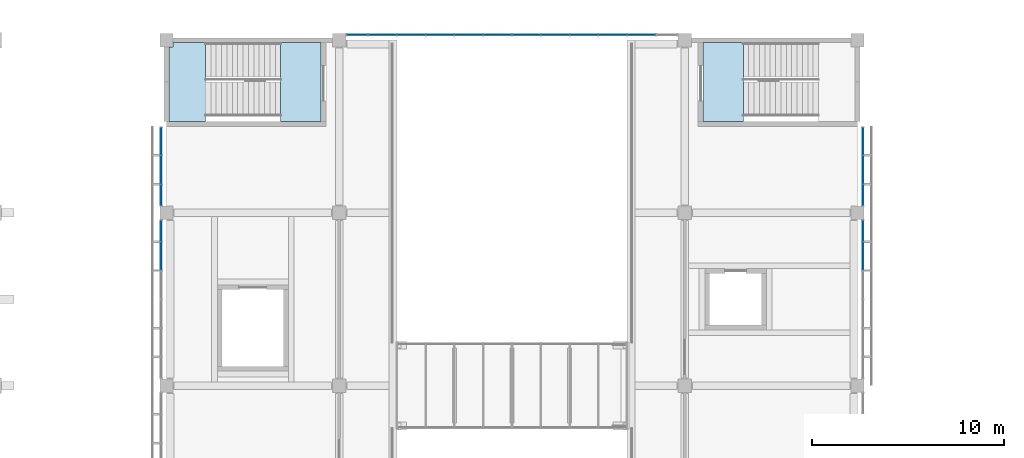
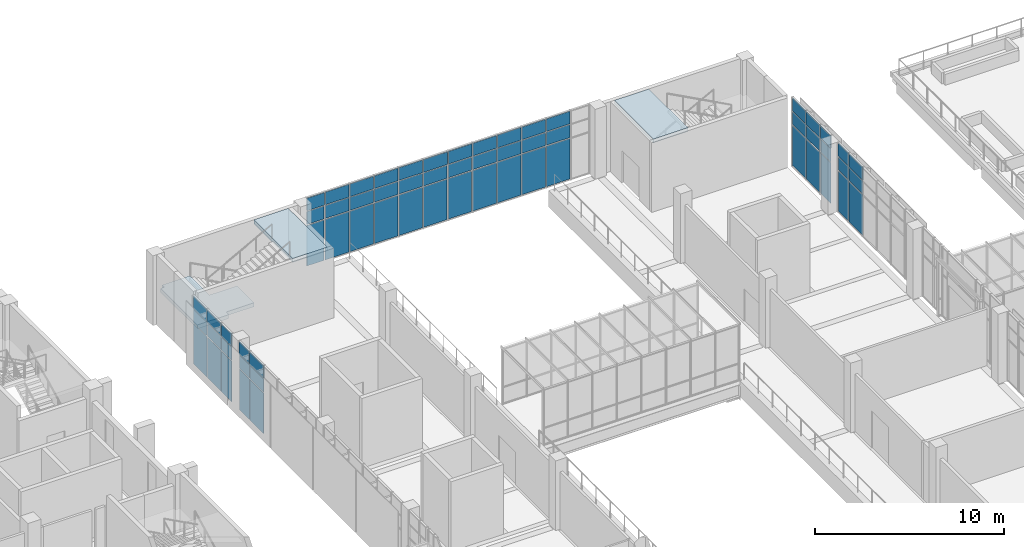
# One storey, part 60 of 106: 63 plates, 3 slabs, 7 elements without a shape of their own.
"""IFC4 building model written with IfcOpenShell, lengths in metres."""

from ifc_helpers import new_model, si_unit, direction, frame, origin, origin_2d, place, context, subcontext, project, spatial, polyline, rectangle, outline, extrude, material, layer, layer_set, type_object, element, aggregate, save


model = new_model("IFC4")

# Units and contexts
model_context = context("Model", 3, precision=1e-05, world=origin(), true_north=direction((0.0, 1.0)))
body_context = subcontext(model_context, "Body", "Model", "MODEL_VIEW")
ifc_project = project(units=[si_unit("LENGTHUNIT", "METRE"), si_unit("AREAUNIT", "SQUARE_METRE"), si_unit("VOLUMEUNIT", "CUBIC_METRE"), si_unit("PLANEANGLEUNIT", "RADIAN"), si_unit("MASSUNIT", "GRAM", prefix="KILO")], contexts=[model_context])

# Site, building, storey
site_placement = place(None, origin())
site = spatial("IfcSite", under=ifc_project, at=site_placement, CompositionType="ELEMENT")
building_placement = place(site_placement, origin())
building = spatial("IfcBuilding", under=site, at=building_placement, Name="Guidao Yard Department Store", CompositionType="ELEMENT")
storey_placement = place(building_placement, frame((0.0, 0.0, 10.5)))
storey = spatial("IfcBuildingStorey", under=building, at=storey_placement, Name="L02", CompositionType="ELEMENT", Elevation=10.5)

# Curtain wall, plates
ifc_material_1 = material(Name="Aluminium and glass", Category="aluminium")
ifc_layer_1 = layer(ifc_material_1, 0.159912109375)
ifc_layer_set_1 = layer_set([ifc_layer_1], Name="Shopfront curtain wall CW1 1500 module")
curtain_wall_type = type_object("IfcCurtainWallType", Name="Shopfront curtain wall CW1 1500 module", PredefinedType="NOTDEFINED", material=ifc_layer_set_1)
curtain_wall_1_placement = place(storey_placement, origin())
curtain_wall_1 = element("IfcCurtainWall", 1, at=curtain_wall_1_placement, inside=storey, type_object=curtain_wall_type, Name="Arcade shop front", PredefinedType="NOTDEFINED")
ifc_material_2 = material(Name="Aluminium 6063-T5 faced insulated spandrel", Category="aluminium")
ifc_layer_2 = layer(ifc_material_2, 0.06005859375)
ifc_layer_set_2 = layer_set([ifc_layer_2], Name="Spandrel panel SP1 insulated opaque")
plate_type_1 = type_object("IfcPlateType", Name="Spandrel panel SP1 insulated opaque", PredefinedType="CURTAIN_PANEL", material=ifc_layer_set_2)
plate_1_placement = place(storey_placement, frame((71.719970703125, 96.75, 3.6298828125), z_axis=(0.0, 0.0, 1.0), x_axis=(0.0, 1.0, 0.0)))
plate_1 = element("IfcPlate", 2, at=plate_1_placement, type_object=plate_type_1, Name="CW-AS-L02-12 panel 5.3", PredefinedType="CURTAIN_PANEL", context=body_context, shape_type="SweptSolid", body=[
    extrude(rectangle(XDim=1.43994140625, YDim=0.06005859375, at=origin_2d()), origin(), (0.0, 0.0, 1.0), 0.81005859375),
])
plate_2_placement = place(storey_placement, frame((71.719970703125, 98.06005859375, 3.6298828125), z_axis=(0.0, 0.0, 1.0), x_axis=(0.0, 1.0, 0.0)))
plate_2 = element("IfcPlate", 3, at=plate_2_placement, type_object=plate_type_1, Name="CW-AS-L02-12 panel 6.3", PredefinedType="CURTAIN_PANEL", context=body_context, shape_type="SweptSolid", body=[
    extrude(rectangle(XDim=1.06005859375, YDim=0.06005859375, at=origin_2d()), origin(), (0.0, 0.0, 1.0), 0.81005859375),
])

curtain_wall_2_placement = place(storey_placement, origin())
curtain_wall_2 = element("IfcCurtainWall", 4, at=curtain_wall_2_placement, inside=storey, type_object=curtain_wall_type, Name="Arcade shop front", PredefinedType="NOTDEFINED")
plate_3_placement = place(storey_placement, frame((71.719970703125, 99.93994140625, 3.6298828125), z_axis=(0.0, 0.0, 1.0), x_axis=(0.0, 1.0, 0.0)))
plate_3 = element("IfcPlate", 5, at=plate_3_placement, type_object=plate_type_1, Name="CW-AS-L02-13 panel 1.3", PredefinedType="CURTAIN_PANEL", context=body_context, shape_type="SweptSolid", body=[
    extrude(rectangle(XDim=1.06005859375, YDim=0.06005859375, at=origin_2d()), origin(), (0.0, 0.0, 1.0), 0.81005859375),
])
plate_4_placement = place(storey_placement, frame((71.719970703125, 101.25, 3.6298828125), z_axis=(0.0, 0.0, 1.0), x_axis=(0.0, 1.0, 0.0)))
plate_4 = element("IfcPlate", 6, at=plate_4_placement, type_object=plate_type_1, Name="CW-AS-L02-13 panel 2.3", PredefinedType="CURTAIN_PANEL", context=body_context, shape_type="SweptSolid", body=[
    extrude(rectangle(XDim=1.43994140625, YDim=0.06005859375, at=origin_2d()), origin(), (0.0, 0.0, 1.0), 0.81005859375),
])
plate_5_placement = place(storey_placement, frame((71.719970703125, 102.735107421875, 3.6298828125), z_axis=(0.0, 0.0, 1.0), x_axis=(0.0, 1.0, 0.0)))
plate_5 = element("IfcPlate", 7, at=plate_5_placement, type_object=plate_type_1, Name="CW-AS-L02-13 panel 3.3", PredefinedType="CURTAIN_PANEL", context=body_context, shape_type="SweptSolid", body=[
    extrude(rectangle(XDim=1.409912109375, YDim=0.06005859375, at=origin_2d()), origin(), (0.0, 0.0, 1.0), 0.81005859375),
])

curtain_wall_3_placement = place(storey_placement, origin())
curtain_wall_3 = element("IfcCurtainWall", 8, at=curtain_wall_3_placement, inside=storey, type_object=curtain_wall_type, Name="Arcade shop front", PredefinedType="NOTDEFINED")
plate_6_placement = place(storey_placement, frame((108.280029296875, 96.75, 3.6298828125), z_axis=(0.0, 0.0, 1.0), x_axis=(0.0, -1.0, 0.0)))
plate_6 = element("IfcPlate", 9, at=plate_6_placement, type_object=plate_type_1, Name="CW-AS-L02-21 panel 5.3", PredefinedType="CURTAIN_PANEL", context=body_context, shape_type="SweptSolid", body=[
    extrude(rectangle(XDim=1.43994140625, YDim=0.06005859375, at=origin_2d()), origin(), (0.0, 0.0, 1.0), 0.81005859375),
])
plate_7_placement = place(storey_placement, frame((108.280029296875, 98.06005859375, 3.6298828125), z_axis=(0.0, 0.0, 1.0), x_axis=(0.0, -1.0, 0.0)))
plate_7 = element("IfcPlate", 10, at=plate_7_placement, type_object=plate_type_1, Name="CW-AS-L02-21 panel 6.3", PredefinedType="CURTAIN_PANEL", context=body_context, shape_type="SweptSolid", body=[
    extrude(rectangle(XDim=1.06005859375, YDim=0.06005859375, at=origin_2d()), origin(), (0.0, 0.0, 1.0), 0.81005859375),
])

curtain_wall_4_placement = place(storey_placement, origin())
curtain_wall_4 = element("IfcCurtainWall", 11, at=curtain_wall_4_placement, inside=storey, type_object=curtain_wall_type, Name="Arcade shop front", PredefinedType="NOTDEFINED")
plate_8_placement = place(storey_placement, frame((108.280029296875, 99.93994140625, 3.6298828125), z_axis=(0.0, 0.0, 1.0), x_axis=(0.0, -1.0, 0.0)))
plate_8 = element("IfcPlate", 12, at=plate_8_placement, type_object=plate_type_1, Name="CW-AS-L02-22 panel 1.3", PredefinedType="CURTAIN_PANEL", context=body_context, shape_type="SweptSolid", body=[
    extrude(rectangle(XDim=1.06005859375, YDim=0.06005859375, at=origin_2d()), origin(), (0.0, 0.0, 1.0), 0.81005859375),
])
plate_9_placement = place(storey_placement, frame((108.280029296875, 101.25, 3.6298828125), z_axis=(0.0, 0.0, 1.0), x_axis=(0.0, -1.0, 0.0)))
plate_9 = element("IfcPlate", 13, at=plate_9_placement, type_object=plate_type_1, Name="CW-AS-L02-22 panel 2.3", PredefinedType="CURTAIN_PANEL", context=body_context, shape_type="SweptSolid", body=[
    extrude(rectangle(XDim=1.43994140625, YDim=0.06005859375, at=origin_2d()), origin(), (0.0, 0.0, 1.0), 0.81005859375),
])
plate_10_placement = place(storey_placement, frame((108.280029296875, 102.735107421875, 3.6298828125), z_axis=(0.0, 0.0, 1.0), x_axis=(0.0, -1.0, 0.0)))
plate_10 = element("IfcPlate", 14, at=plate_10_placement, type_object=plate_type_1, Name="CW-AS-L02-22 panel 3.3", PredefinedType="CURTAIN_PANEL", context=body_context, shape_type="SweptSolid", body=[
    extrude(rectangle(XDim=1.409912109375, YDim=0.06005859375, at=origin_2d()), origin(), (0.0, 0.0, 1.0), 0.81005859375),
])

curtain_wall_5_placement = place(storey_placement, origin())
curtain_wall_5 = element("IfcCurtainWall", 15, at=curtain_wall_5_placement, inside=storey, type_object=curtain_wall_type, Name="Arcade gable glazing", PredefinedType="NOTDEFINED")
plate_11_placement = place(storey_placement, frame((81.93994140625, 108.280029296875, 3.6298828125), z_axis=(0.0, 0.0, 1.0), x_axis=(1.0, 0.0, 0.0)))
plate_11 = element("IfcPlate", 16, at=plate_11_placement, type_object=plate_type_1, Name="CW-AG-L02-01 panel 1.3", PredefinedType="CURTAIN_PANEL", context=body_context, shape_type="SweptSolid", body=[
    extrude(rectangle(XDim=1.06005859375, YDim=0.06005859375, at=origin_2d()), origin(), (0.0, 0.0, 1.0), 0.81005859375),
])
plate_12_placement = place(storey_placement, frame((83.25, 108.280029296875, 3.6298828125), z_axis=(0.0, 0.0, 1.0), x_axis=(1.0, 0.0, 0.0)))
plate_12 = element("IfcPlate", 17, at=plate_12_placement, type_object=plate_type_1, Name="CW-AG-L02-01 panel 2.3", PredefinedType="CURTAIN_PANEL", context=body_context, shape_type="SweptSolid", body=[
    extrude(rectangle(XDim=1.43994140625, YDim=0.06005859375, at=origin_2d()), origin(), (0.0, 0.0, 1.0), 0.81005859375),
])
plate_13_placement = place(storey_placement, frame((84.75, 108.280029296875, 3.6298828125), z_axis=(0.0, 0.0, 1.0), x_axis=(1.0, 0.0, 0.0)))
plate_13 = element("IfcPlate", 18, at=plate_13_placement, type_object=plate_type_1, Name="CW-AG-L02-01 panel 3.3", PredefinedType="CURTAIN_PANEL", context=body_context, shape_type="SweptSolid", body=[
    extrude(rectangle(XDim=1.43994140625, YDim=0.06005859375, at=origin_2d()), origin(), (0.0, 0.0, 1.0), 0.81005859375),
])
plate_14_placement = place(storey_placement, frame((86.25, 108.280029296875, 3.6298828125), z_axis=(0.0, 0.0, 1.0), x_axis=(1.0, 0.0, 0.0)))
plate_14 = element("IfcPlate", 19, at=plate_14_placement, type_object=plate_type_1, Name="CW-AG-L02-01 panel 4.3", PredefinedType="CURTAIN_PANEL", context=body_context, shape_type="SweptSolid", body=[
    extrude(rectangle(XDim=1.43994140625, YDim=0.06005859375, at=origin_2d()), origin(), (0.0, 0.0, 1.0), 0.81005859375),
])
plate_15_placement = place(storey_placement, frame((87.75, 108.280029296875, 3.6298828125), z_axis=(0.0, 0.0, 1.0), x_axis=(1.0, 0.0, 0.0)))
plate_15 = element("IfcPlate", 20, at=plate_15_placement, type_object=plate_type_1, Name="CW-AG-L02-01 panel 5.3", PredefinedType="CURTAIN_PANEL", context=body_context, shape_type="SweptSolid", body=[
    extrude(rectangle(XDim=1.43994140625, YDim=0.06005859375, at=origin_2d()), origin(), (0.0, 0.0, 1.0), 0.81005859375),
])
plate_16_placement = place(storey_placement, frame((89.25, 108.280029296875, 3.6298828125), z_axis=(0.0, 0.0, 1.0), x_axis=(1.0, 0.0, 0.0)))
plate_16 = element("IfcPlate", 21, at=plate_16_placement, type_object=plate_type_1, Name="CW-AG-L02-01 panel 6.3", PredefinedType="CURTAIN_PANEL", context=body_context, shape_type="SweptSolid", body=[
    extrude(rectangle(XDim=1.43994140625, YDim=0.06005859375, at=origin_2d()), origin(), (0.0, 0.0, 1.0), 0.81005859375),
])
plate_17_placement = place(storey_placement, frame((90.75, 108.280029296875, 3.6298828125), z_axis=(0.0, 0.0, 1.0), x_axis=(1.0, 0.0, 0.0)))
plate_17 = element("IfcPlate", 22, at=plate_17_placement, type_object=plate_type_1, Name="CW-AG-L02-01 panel 7.3", PredefinedType="CURTAIN_PANEL", context=body_context, shape_type="SweptSolid", body=[
    extrude(rectangle(XDim=1.43994140625, YDim=0.06005859375, at=origin_2d()), origin(), (0.0, 0.0, 1.0), 0.81005859375),
])
plate_18_placement = place(storey_placement, frame((92.25, 108.280029296875, 3.6298828125), z_axis=(0.0, 0.0, 1.0), x_axis=(1.0, 0.0, 0.0)))
plate_18 = element("IfcPlate", 23, at=plate_18_placement, type_object=plate_type_1, Name="CW-AG-L02-01 panel 8.3", PredefinedType="CURTAIN_PANEL", context=body_context, shape_type="SweptSolid", body=[
    extrude(rectangle(XDim=1.43994140625, YDim=0.06005859375, at=origin_2d()), origin(), (0.0, 0.0, 1.0), 0.81005859375),
])
plate_19_placement = place(storey_placement, frame((93.75, 108.280029296875, 3.6298828125), z_axis=(0.0, 0.0, 1.0), x_axis=(1.0, 0.0, 0.0)))
plate_19 = element("IfcPlate", 24, at=plate_19_placement, type_object=plate_type_1, Name="CW-AG-L02-01 panel 9.3", PredefinedType="CURTAIN_PANEL", context=body_context, shape_type="SweptSolid", body=[
    extrude(rectangle(XDim=1.43994140625, YDim=0.06005859375, at=origin_2d()), origin(), (0.0, 0.0, 1.0), 0.81005859375),
])
plate_20_placement = place(storey_placement, frame((95.25, 108.280029296875, 3.6298828125), z_axis=(0.0, 0.0, 1.0), x_axis=(1.0, 0.0, 0.0)))
plate_20 = element("IfcPlate", 25, at=plate_20_placement, type_object=plate_type_1, Name="CW-AG-L02-01 panel 10.3", PredefinedType="CURTAIN_PANEL", context=body_context, shape_type="SweptSolid", body=[
    extrude(rectangle(XDim=1.43994140625, YDim=0.06005859375, at=origin_2d()), origin(), (0.0, 0.0, 1.0), 0.81005859375),
])
plate_21_placement = place(storey_placement, frame((96.75, 108.280029296875, 3.6298828125), z_axis=(0.0, 0.0, 1.0), x_axis=(1.0, 0.0, 0.0)))
plate_21 = element("IfcPlate", 26, at=plate_21_placement, type_object=plate_type_1, Name="CW-AG-L02-01 panel 11.3", PredefinedType="CURTAIN_PANEL", context=body_context, shape_type="SweptSolid", body=[
    extrude(rectangle(XDim=1.43994140625, YDim=0.06005859375, at=origin_2d()), origin(), (0.0, 0.0, 1.0), 0.81005859375),
])

# Stair, slabs
ifc_material_3 = material(Name="Concrete C35", Category="concrete")
stair_type = type_object("IfcStairType", Name="Stair half-turn two-flight 1800 wide 4.5 m rise", PredefinedType="HALF_TURN_STAIR", material=ifc_material_3)
stair_1_placement = place(storey_placement, origin())
stair_1 = element("IfcStair", 27, at=stair_1_placement, inside=storey, type_object=stair_type, Name="Stair G2 L02 to L03", PredefinedType="HALF_TURN_STAIR")
ifc_material_4 = material(Name="Concrete C35", Category="concrete")
ifc_layer_3 = layer(ifc_material_4, 0.25)
ifc_layer_set_3 = layer_set([ifc_layer_3], Name="Stair landing RC 250 C35")
slab_type = type_object("IfcSlabType", Name="Stair landing RC 250 C35", PredefinedType="LANDING", material=ifc_layer_set_3)
slab_1_placement = place(storey_placement, frame((0.0, 0.0, 2.0)))
slab_1 = element("IfcSlab", 28, at=slab_1_placement, type_object=slab_type, Name="SG2-L02 landing 1", PredefinedType="LANDING", context=body_context, shape_type="SweptSolid", body=[
    extrude(outline(polyline([(75.748046875, 104.02490234375), (74.030029296875, 104.02490234375), (74.030029296875, 103.75), (72.125, 103.75), (72.125, 107.64990234375), (72.35009765625, 107.64990234375), (72.35009765625, 107.875), (74.030029296875, 107.875), (74.0400390625, 107.875), (74.0400390625, 105.824951171875), (75.748046875, 105.824951171875), (75.748046875, 104.02490234375)])), origin(), (0.0, 0.0, 1.0), 0.25),
])
slab_2_placement = place(storey_placement, frame((0.0, 0.0, 4.25)))
slab_2 = element("IfcSlab", 29, at=slab_2_placement, type_object=slab_type, Name="SG2-L02 landing 2", PredefinedType="LANDING", context=body_context, shape_type="SweptSolid", body=[
    extrude(outline(polyline([(77.93994140625, 103.75), (77.93994140625, 105.824951171875), (77.949951171875, 105.824951171875), (77.949951171875, 107.875), (80.050048828125, 107.875), (80.050048828125, 105.824951171875), (80.050048828125, 103.75), (77.93994140625, 103.75)])), origin(), (0.0, 0.0, 1.0), 0.25),
])
aggregate(stair_1, [slab_1, slab_2])

# Stair, slab
stair_2_placement = place(storey_placement, origin())
stair_2 = element("IfcStair", 30, at=stair_2_placement, inside=storey, type_object=stair_type, Name="Stair G4 L02 to L03", PredefinedType="HALF_TURN_STAIR")
slab_3_placement = place(storey_placement, frame((0.0, 0.0, 4.25)))
slab_3 = element("IfcSlab", 31, at=slab_3_placement, type_object=slab_type, Name="SG4-L02 landing 2", PredefinedType="LANDING", context=body_context, shape_type="SweptSolid", body=[
    extrude(outline(polyline([(102.06005859375, 103.75), (99.949951171875, 103.75), (99.949951171875, 105.824951171875), (99.949951171875, 107.875), (102.050048828125, 107.875), (102.050048828125, 105.824951171875), (102.06005859375, 105.824951171875), (102.06005859375, 103.75)])), origin(), (0.0, 0.0, 1.0), 0.25),
])
aggregate(stair_2, [slab_3])

# Plate
ifc_material_5 = material(Name="Laminated heat-soaked tempered glass", Category="glass")
ifc_layer_4 = layer(ifc_material_5, 0.017578125)
ifc_layer_set_4 = layer_set([ifc_layer_4], Name="Vision glass VG1 laminated heat-soaked tempered 8+8")
plate_type_2 = type_object("IfcPlateType", Name="Vision glass VG1 laminated heat-soaked tempered 8+8", PredefinedType="CURTAIN_PANEL", material=ifc_layer_set_4)
plate_22_placement = place(storey_placement, frame((71.719970703125, 96.75, 0.06005859375), z_axis=(0.0, 0.0, 1.0), x_axis=(0.0, 1.0, 0.0)))
plate_22 = element("IfcPlate", 32, at=plate_22_placement, type_object=plate_type_2, Name="CW-AS-L02-12 panel 5.1", PredefinedType="CURTAIN_PANEL", context=body_context, shape_type="SweptSolid", body=[
    extrude(rectangle(XDim=1.43994140625, YDim=0.017578125, at=origin_2d()), origin(), (0.0, 0.0, 1.0), 2.610107421875),
])

plate_23_placement = place(storey_placement, frame((71.719970703125, 96.75, 2.72998046875), z_axis=(0.0, 0.0, 1.0), x_axis=(0.0, 1.0, 0.0)))
plate_23 = element("IfcPlate", 33, at=plate_23_placement, type_object=plate_type_2, Name="CW-AS-L02-12 panel 5.2", PredefinedType="CURTAIN_PANEL", context=body_context, shape_type="SweptSolid", body=[
    extrude(rectangle(XDim=1.43994140625, YDim=0.017578125, at=origin_2d()), origin(), (0.0, 0.0, 1.0), 0.840087890625),
])

plate_24_placement = place(storey_placement, frame((71.719970703125, 98.06005859375, 0.06005859375), z_axis=(0.0, 0.0, 1.0), x_axis=(0.0, 1.0, 0.0)))
plate_24 = element("IfcPlate", 34, at=plate_24_placement, type_object=plate_type_2, Name="CW-AS-L02-12 panel 6.1", PredefinedType="CURTAIN_PANEL", context=body_context, shape_type="SweptSolid", body=[
    extrude(rectangle(XDim=1.06005859375, YDim=0.017578125, at=origin_2d()), origin(), (0.0, 0.0, 1.0), 2.610107421875),
])

plate_25_placement = place(storey_placement, frame((71.719970703125, 98.06005859375, 2.72998046875), z_axis=(0.0, 0.0, 1.0), x_axis=(0.0, 1.0, 0.0)))
plate_25 = element("IfcPlate", 35, at=plate_25_placement, type_object=plate_type_2, Name="CW-AS-L02-12 panel 6.2", PredefinedType="CURTAIN_PANEL", context=body_context, shape_type="SweptSolid", body=[
    extrude(rectangle(XDim=1.06005859375, YDim=0.017578125, at=origin_2d()), origin(), (0.0, 0.0, 1.0), 0.840087890625),
])

aggregate(curtain_wall_1, [plate_22, plate_23, plate_1, plate_24, plate_25, plate_2])

plate_26_placement = place(storey_placement, frame((71.719970703125, 99.93994140625, 0.06005859375), z_axis=(0.0, 0.0, 1.0), x_axis=(0.0, 1.0, 0.0)))
plate_26 = element("IfcPlate", 36, at=plate_26_placement, type_object=plate_type_2, Name="CW-AS-L02-13 panel 1.1", PredefinedType="CURTAIN_PANEL", context=body_context, shape_type="SweptSolid", body=[
    extrude(rectangle(XDim=1.06005859375, YDim=0.017578125, at=origin_2d()), origin(), (0.0, 0.0, 1.0), 2.610107421875),
])

plate_27_placement = place(storey_placement, frame((71.719970703125, 99.93994140625, 2.72998046875), z_axis=(0.0, 0.0, 1.0), x_axis=(0.0, 1.0, 0.0)))
plate_27 = element("IfcPlate", 37, at=plate_27_placement, type_object=plate_type_2, Name="CW-AS-L02-13 panel 1.2", PredefinedType="CURTAIN_PANEL", context=body_context, shape_type="SweptSolid", body=[
    extrude(rectangle(XDim=1.06005859375, YDim=0.017578125, at=origin_2d()), origin(), (0.0, 0.0, 1.0), 0.840087890625),
])

plate_28_placement = place(storey_placement, frame((71.719970703125, 101.25, 0.06005859375), z_axis=(0.0, 0.0, 1.0), x_axis=(0.0, 1.0, 0.0)))
plate_28 = element("IfcPlate", 38, at=plate_28_placement, type_object=plate_type_2, Name="CW-AS-L02-13 panel 2.1", PredefinedType="CURTAIN_PANEL", context=body_context, shape_type="SweptSolid", body=[
    extrude(rectangle(XDim=1.43994140625, YDim=0.017578125, at=origin_2d()), origin(), (0.0, 0.0, 1.0), 2.610107421875),
])

plate_29_placement = place(storey_placement, frame((71.719970703125, 101.25, 2.72998046875), z_axis=(0.0, 0.0, 1.0), x_axis=(0.0, 1.0, 0.0)))
plate_29 = element("IfcPlate", 39, at=plate_29_placement, type_object=plate_type_2, Name="CW-AS-L02-13 panel 2.2", PredefinedType="CURTAIN_PANEL", context=body_context, shape_type="SweptSolid", body=[
    extrude(rectangle(XDim=1.43994140625, YDim=0.017578125, at=origin_2d()), origin(), (0.0, 0.0, 1.0), 0.840087890625),
])

plate_30_placement = place(storey_placement, frame((71.719970703125, 102.735107421875, 0.06005859375), z_axis=(0.0, 0.0, 1.0), x_axis=(0.0, 1.0, 0.0)))
plate_30 = element("IfcPlate", 40, at=plate_30_placement, type_object=plate_type_2, Name="CW-AS-L02-13 panel 3.1", PredefinedType="CURTAIN_PANEL", context=body_context, shape_type="SweptSolid", body=[
    extrude(rectangle(XDim=1.409912109375, YDim=0.017578125, at=origin_2d()), origin(), (0.0, 0.0, 1.0), 2.610107421875),
])

plate_31_placement = place(storey_placement, frame((71.719970703125, 102.735107421875, 2.72998046875), z_axis=(0.0, 0.0, 1.0), x_axis=(0.0, 1.0, 0.0)))
plate_31 = element("IfcPlate", 41, at=plate_31_placement, type_object=plate_type_2, Name="CW-AS-L02-13 panel 3.2", PredefinedType="CURTAIN_PANEL", context=body_context, shape_type="SweptSolid", body=[
    extrude(rectangle(XDim=1.409912109375, YDim=0.017578125, at=origin_2d()), origin(), (0.0, 0.0, 1.0), 0.840087890625),
])

aggregate(curtain_wall_2, [plate_26, plate_27, plate_3, plate_28, plate_29, plate_4, plate_30, plate_31, plate_5])

plate_32_placement = place(storey_placement, frame((108.280029296875, 96.75, 0.06005859375), z_axis=(0.0, 0.0, 1.0), x_axis=(0.0, -1.0, 0.0)))
plate_32 = element("IfcPlate", 42, at=plate_32_placement, type_object=plate_type_2, Name="CW-AS-L02-21 panel 5.1", PredefinedType="CURTAIN_PANEL", context=body_context, shape_type="SweptSolid", body=[
    extrude(rectangle(XDim=1.43994140625, YDim=0.017578125, at=origin_2d()), origin(), (0.0, 0.0, 1.0), 2.610107421875),
])

plate_33_placement = place(storey_placement, frame((108.280029296875, 96.75, 2.72998046875), z_axis=(0.0, 0.0, 1.0), x_axis=(0.0, -1.0, 0.0)))
plate_33 = element("IfcPlate", 43, at=plate_33_placement, type_object=plate_type_2, Name="CW-AS-L02-21 panel 5.2", PredefinedType="CURTAIN_PANEL", context=body_context, shape_type="SweptSolid", body=[
    extrude(rectangle(XDim=1.43994140625, YDim=0.017578125, at=origin_2d()), origin(), (0.0, 0.0, 1.0), 0.840087890625),
])

plate_34_placement = place(storey_placement, frame((108.280029296875, 98.06005859375, 0.06005859375), z_axis=(0.0, 0.0, 1.0), x_axis=(0.0, -1.0, 0.0)))
plate_34 = element("IfcPlate", 44, at=plate_34_placement, type_object=plate_type_2, Name="CW-AS-L02-21 panel 6.1", PredefinedType="CURTAIN_PANEL", context=body_context, shape_type="SweptSolid", body=[
    extrude(rectangle(XDim=1.06005859375, YDim=0.017578125, at=origin_2d()), origin(), (0.0, 0.0, 1.0), 2.610107421875),
])

plate_35_placement = place(storey_placement, frame((108.280029296875, 98.06005859375, 2.72998046875), z_axis=(0.0, 0.0, 1.0), x_axis=(0.0, -1.0, 0.0)))
plate_35 = element("IfcPlate", 45, at=plate_35_placement, type_object=plate_type_2, Name="CW-AS-L02-21 panel 6.2", PredefinedType="CURTAIN_PANEL", context=body_context, shape_type="SweptSolid", body=[
    extrude(rectangle(XDim=1.06005859375, YDim=0.017578125, at=origin_2d()), origin(), (0.0, 0.0, 1.0), 0.840087890625),
])

aggregate(curtain_wall_3, [plate_32, plate_33, plate_6, plate_34, plate_35, plate_7])

plate_36_placement = place(storey_placement, frame((108.280029296875, 99.93994140625, 0.06005859375), z_axis=(0.0, 0.0, 1.0), x_axis=(0.0, -1.0, 0.0)))
plate_36 = element("IfcPlate", 46, at=plate_36_placement, type_object=plate_type_2, Name="CW-AS-L02-22 panel 1.1", PredefinedType="CURTAIN_PANEL", context=body_context, shape_type="SweptSolid", body=[
    extrude(rectangle(XDim=1.06005859375, YDim=0.017578125, at=origin_2d()), origin(), (0.0, 0.0, 1.0), 2.610107421875),
])

plate_37_placement = place(storey_placement, frame((108.280029296875, 99.93994140625, 2.72998046875), z_axis=(0.0, 0.0, 1.0), x_axis=(0.0, -1.0, 0.0)))
plate_37 = element("IfcPlate", 47, at=plate_37_placement, type_object=plate_type_2, Name="CW-AS-L02-22 panel 1.2", PredefinedType="CURTAIN_PANEL", context=body_context, shape_type="SweptSolid", body=[
    extrude(rectangle(XDim=1.06005859375, YDim=0.017578125, at=origin_2d()), origin(), (0.0, 0.0, 1.0), 0.840087890625),
])

plate_38_placement = place(storey_placement, frame((108.280029296875, 101.25, 0.06005859375), z_axis=(0.0, 0.0, 1.0), x_axis=(0.0, -1.0, 0.0)))
plate_38 = element("IfcPlate", 48, at=plate_38_placement, type_object=plate_type_2, Name="CW-AS-L02-22 panel 2.1", PredefinedType="CURTAIN_PANEL", context=body_context, shape_type="SweptSolid", body=[
    extrude(rectangle(XDim=1.43994140625, YDim=0.017578125, at=origin_2d()), origin(), (0.0, 0.0, 1.0), 2.610107421875),
])

plate_39_placement = place(storey_placement, frame((108.280029296875, 101.25, 2.72998046875), z_axis=(0.0, 0.0, 1.0), x_axis=(0.0, -1.0, 0.0)))
plate_39 = element("IfcPlate", 49, at=plate_39_placement, type_object=plate_type_2, Name="CW-AS-L02-22 panel 2.2", PredefinedType="CURTAIN_PANEL", context=body_context, shape_type="SweptSolid", body=[
    extrude(rectangle(XDim=1.43994140625, YDim=0.017578125, at=origin_2d()), origin(), (0.0, 0.0, 1.0), 0.840087890625),
])

plate_40_placement = place(storey_placement, frame((108.280029296875, 102.735107421875, 0.06005859375), z_axis=(0.0, 0.0, 1.0), x_axis=(0.0, -1.0, 0.0)))
plate_40 = element("IfcPlate", 50, at=plate_40_placement, type_object=plate_type_2, Name="CW-AS-L02-22 panel 3.1", PredefinedType="CURTAIN_PANEL", context=body_context, shape_type="SweptSolid", body=[
    extrude(rectangle(XDim=1.409912109375, YDim=0.017578125, at=origin_2d()), origin(), (0.0, 0.0, 1.0), 2.610107421875),
])

plate_41_placement = place(storey_placement, frame((108.280029296875, 102.735107421875, 2.72998046875), z_axis=(0.0, 0.0, 1.0), x_axis=(0.0, -1.0, 0.0)))
plate_41 = element("IfcPlate", 51, at=plate_41_placement, type_object=plate_type_2, Name="CW-AS-L02-22 panel 3.2", PredefinedType="CURTAIN_PANEL", context=body_context, shape_type="SweptSolid", body=[
    extrude(rectangle(XDim=1.409912109375, YDim=0.017578125, at=origin_2d()), origin(), (0.0, 0.0, 1.0), 0.840087890625),
])

aggregate(curtain_wall_4, [plate_36, plate_37, plate_8, plate_38, plate_39, plate_9, plate_40, plate_41, plate_10])

plate_42_placement = place(storey_placement, frame((81.93994140625, 108.280029296875, 0.06005859375), z_axis=(0.0, 0.0, 1.0), x_axis=(1.0, 0.0, 0.0)))
plate_42 = element("IfcPlate", 52, at=plate_42_placement, type_object=plate_type_2, Name="CW-AG-L02-01 panel 1.1", PredefinedType="CURTAIN_PANEL", context=body_context, shape_type="SweptSolid", body=[
    extrude(rectangle(XDim=1.06005859375, YDim=0.017578125, at=origin_2d()), origin(), (0.0, 0.0, 1.0), 2.610107421875),
])

plate_43_placement = place(storey_placement, frame((81.93994140625, 108.280029296875, 2.72998046875), z_axis=(0.0, 0.0, 1.0), x_axis=(1.0, 0.0, 0.0)))
plate_43 = element("IfcPlate", 53, at=plate_43_placement, type_object=plate_type_2, Name="CW-AG-L02-01 panel 1.2", PredefinedType="CURTAIN_PANEL", context=body_context, shape_type="SweptSolid", body=[
    extrude(rectangle(XDim=1.06005859375, YDim=0.017578125, at=origin_2d()), origin(), (0.0, 0.0, 1.0), 0.840087890625),
])

plate_44_placement = place(storey_placement, frame((83.25, 108.280029296875, 0.06005859375), z_axis=(0.0, 0.0, 1.0), x_axis=(1.0, 0.0, 0.0)))
plate_44 = element("IfcPlate", 54, at=plate_44_placement, type_object=plate_type_2, Name="CW-AG-L02-01 panel 2.1", PredefinedType="CURTAIN_PANEL", context=body_context, shape_type="SweptSolid", body=[
    extrude(rectangle(XDim=1.43994140625, YDim=0.017578125, at=origin_2d()), origin(), (0.0, 0.0, 1.0), 2.610107421875),
])

plate_45_placement = place(storey_placement, frame((83.25, 108.280029296875, 2.72998046875), z_axis=(0.0, 0.0, 1.0), x_axis=(1.0, 0.0, 0.0)))
plate_45 = element("IfcPlate", 55, at=plate_45_placement, type_object=plate_type_2, Name="CW-AG-L02-01 panel 2.2", PredefinedType="CURTAIN_PANEL", context=body_context, shape_type="SweptSolid", body=[
    extrude(rectangle(XDim=1.43994140625, YDim=0.017578125, at=origin_2d()), origin(), (0.0, 0.0, 1.0), 0.840087890625),
])

plate_46_placement = place(storey_placement, frame((84.75, 108.280029296875, 0.06005859375), z_axis=(0.0, 0.0, 1.0), x_axis=(1.0, 0.0, 0.0)))
plate_46 = element("IfcPlate", 56, at=plate_46_placement, type_object=plate_type_2, Name="CW-AG-L02-01 panel 3.1", PredefinedType="CURTAIN_PANEL", context=body_context, shape_type="SweptSolid", body=[
    extrude(rectangle(XDim=1.43994140625, YDim=0.017578125, at=origin_2d()), origin(), (0.0, 0.0, 1.0), 2.610107421875),
])

plate_47_placement = place(storey_placement, frame((84.75, 108.280029296875, 2.72998046875), z_axis=(0.0, 0.0, 1.0), x_axis=(1.0, 0.0, 0.0)))
plate_47 = element("IfcPlate", 57, at=plate_47_placement, type_object=plate_type_2, Name="CW-AG-L02-01 panel 3.2", PredefinedType="CURTAIN_PANEL", context=body_context, shape_type="SweptSolid", body=[
    extrude(rectangle(XDim=1.43994140625, YDim=0.017578125, at=origin_2d()), origin(), (0.0, 0.0, 1.0), 0.840087890625),
])

plate_48_placement = place(storey_placement, frame((86.25, 108.280029296875, 0.06005859375), z_axis=(0.0, 0.0, 1.0), x_axis=(1.0, 0.0, 0.0)))
plate_48 = element("IfcPlate", 58, at=plate_48_placement, type_object=plate_type_2, Name="CW-AG-L02-01 panel 4.1", PredefinedType="CURTAIN_PANEL", context=body_context, shape_type="SweptSolid", body=[
    extrude(rectangle(XDim=1.43994140625, YDim=0.017578125, at=origin_2d()), origin(), (0.0, 0.0, 1.0), 2.610107421875),
])

plate_49_placement = place(storey_placement, frame((86.25, 108.280029296875, 2.72998046875), z_axis=(0.0, 0.0, 1.0), x_axis=(1.0, 0.0, 0.0)))
plate_49 = element("IfcPlate", 59, at=plate_49_placement, type_object=plate_type_2, Name="CW-AG-L02-01 panel 4.2", PredefinedType="CURTAIN_PANEL", context=body_context, shape_type="SweptSolid", body=[
    extrude(rectangle(XDim=1.43994140625, YDim=0.017578125, at=origin_2d()), origin(), (0.0, 0.0, 1.0), 0.840087890625),
])

plate_50_placement = place(storey_placement, frame((87.75, 108.280029296875, 0.06005859375), z_axis=(0.0, 0.0, 1.0), x_axis=(1.0, 0.0, 0.0)))
plate_50 = element("IfcPlate", 60, at=plate_50_placement, type_object=plate_type_2, Name="CW-AG-L02-01 panel 5.1", PredefinedType="CURTAIN_PANEL", context=body_context, shape_type="SweptSolid", body=[
    extrude(rectangle(XDim=1.43994140625, YDim=0.017578125, at=origin_2d()), origin(), (0.0, 0.0, 1.0), 2.610107421875),
])

plate_51_placement = place(storey_placement, frame((87.75, 108.280029296875, 2.72998046875), z_axis=(0.0, 0.0, 1.0), x_axis=(1.0, 0.0, 0.0)))
plate_51 = element("IfcPlate", 61, at=plate_51_placement, type_object=plate_type_2, Name="CW-AG-L02-01 panel 5.2", PredefinedType="CURTAIN_PANEL", context=body_context, shape_type="SweptSolid", body=[
    extrude(rectangle(XDim=1.43994140625, YDim=0.017578125, at=origin_2d()), origin(), (0.0, 0.0, 1.0), 0.840087890625),
])

plate_52_placement = place(storey_placement, frame((89.25, 108.280029296875, 0.06005859375), z_axis=(0.0, 0.0, 1.0), x_axis=(1.0, 0.0, 0.0)))
plate_52 = element("IfcPlate", 62, at=plate_52_placement, type_object=plate_type_2, Name="CW-AG-L02-01 panel 6.1", PredefinedType="CURTAIN_PANEL", context=body_context, shape_type="SweptSolid", body=[
    extrude(rectangle(XDim=1.43994140625, YDim=0.017578125, at=origin_2d()), origin(), (0.0, 0.0, 1.0), 2.610107421875),
])

plate_53_placement = place(storey_placement, frame((89.25, 108.280029296875, 2.72998046875), z_axis=(0.0, 0.0, 1.0), x_axis=(1.0, 0.0, 0.0)))
plate_53 = element("IfcPlate", 63, at=plate_53_placement, type_object=plate_type_2, Name="CW-AG-L02-01 panel 6.2", PredefinedType="CURTAIN_PANEL", context=body_context, shape_type="SweptSolid", body=[
    extrude(rectangle(XDim=1.43994140625, YDim=0.017578125, at=origin_2d()), origin(), (0.0, 0.0, 1.0), 0.840087890625),
])

plate_54_placement = place(storey_placement, frame((90.75, 108.280029296875, 0.06005859375), z_axis=(0.0, 0.0, 1.0), x_axis=(1.0, 0.0, 0.0)))
plate_54 = element("IfcPlate", 64, at=plate_54_placement, type_object=plate_type_2, Name="CW-AG-L02-01 panel 7.1", PredefinedType="CURTAIN_PANEL", context=body_context, shape_type="SweptSolid", body=[
    extrude(rectangle(XDim=1.43994140625, YDim=0.017578125, at=origin_2d()), origin(), (0.0, 0.0, 1.0), 2.610107421875),
])

plate_55_placement = place(storey_placement, frame((90.75, 108.280029296875, 2.72998046875), z_axis=(0.0, 0.0, 1.0), x_axis=(1.0, 0.0, 0.0)))
plate_55 = element("IfcPlate", 65, at=plate_55_placement, type_object=plate_type_2, Name="CW-AG-L02-01 panel 7.2", PredefinedType="CURTAIN_PANEL", context=body_context, shape_type="SweptSolid", body=[
    extrude(rectangle(XDim=1.43994140625, YDim=0.017578125, at=origin_2d()), origin(), (0.0, 0.0, 1.0), 0.840087890625),
])

plate_56_placement = place(storey_placement, frame((92.25, 108.280029296875, 0.06005859375), z_axis=(0.0, 0.0, 1.0), x_axis=(1.0, 0.0, 0.0)))
plate_56 = element("IfcPlate", 66, at=plate_56_placement, type_object=plate_type_2, Name="CW-AG-L02-01 panel 8.1", PredefinedType="CURTAIN_PANEL", context=body_context, shape_type="SweptSolid", body=[
    extrude(rectangle(XDim=1.43994140625, YDim=0.017578125, at=origin_2d()), origin(), (0.0, 0.0, 1.0), 2.610107421875),
])

plate_57_placement = place(storey_placement, frame((92.25, 108.280029296875, 2.72998046875), z_axis=(0.0, 0.0, 1.0), x_axis=(1.0, 0.0, 0.0)))
plate_57 = element("IfcPlate", 67, at=plate_57_placement, type_object=plate_type_2, Name="CW-AG-L02-01 panel 8.2", PredefinedType="CURTAIN_PANEL", context=body_context, shape_type="SweptSolid", body=[
    extrude(rectangle(XDim=1.43994140625, YDim=0.017578125, at=origin_2d()), origin(), (0.0, 0.0, 1.0), 0.840087890625),
])

plate_58_placement = place(storey_placement, frame((93.75, 108.280029296875, 0.06005859375), z_axis=(0.0, 0.0, 1.0), x_axis=(1.0, 0.0, 0.0)))
plate_58 = element("IfcPlate", 68, at=plate_58_placement, type_object=plate_type_2, Name="CW-AG-L02-01 panel 9.1", PredefinedType="CURTAIN_PANEL", context=body_context, shape_type="SweptSolid", body=[
    extrude(rectangle(XDim=1.43994140625, YDim=0.017578125, at=origin_2d()), origin(), (0.0, 0.0, 1.0), 2.610107421875),
])

plate_59_placement = place(storey_placement, frame((93.75, 108.280029296875, 2.72998046875), z_axis=(0.0, 0.0, 1.0), x_axis=(1.0, 0.0, 0.0)))
plate_59 = element("IfcPlate", 69, at=plate_59_placement, type_object=plate_type_2, Name="CW-AG-L02-01 panel 9.2", PredefinedType="CURTAIN_PANEL", context=body_context, shape_type="SweptSolid", body=[
    extrude(rectangle(XDim=1.43994140625, YDim=0.017578125, at=origin_2d()), origin(), (0.0, 0.0, 1.0), 0.840087890625),
])

plate_60_placement = place(storey_placement, frame((95.25, 108.280029296875, 0.06005859375), z_axis=(0.0, 0.0, 1.0), x_axis=(1.0, 0.0, 0.0)))
plate_60 = element("IfcPlate", 70, at=plate_60_placement, type_object=plate_type_2, Name="CW-AG-L02-01 panel 10.1", PredefinedType="CURTAIN_PANEL", context=body_context, shape_type="SweptSolid", body=[
    extrude(rectangle(XDim=1.43994140625, YDim=0.017578125, at=origin_2d()), origin(), (0.0, 0.0, 1.0), 2.610107421875),
])

plate_61_placement = place(storey_placement, frame((95.25, 108.280029296875, 2.72998046875), z_axis=(0.0, 0.0, 1.0), x_axis=(1.0, 0.0, 0.0)))
plate_61 = element("IfcPlate", 71, at=plate_61_placement, type_object=plate_type_2, Name="CW-AG-L02-01 panel 10.2", PredefinedType="CURTAIN_PANEL", context=body_context, shape_type="SweptSolid", body=[
    extrude(rectangle(XDim=1.43994140625, YDim=0.017578125, at=origin_2d()), origin(), (0.0, 0.0, 1.0), 0.840087890625),
])

plate_62_placement = place(storey_placement, frame((96.75, 108.280029296875, 0.06005859375), z_axis=(0.0, 0.0, 1.0), x_axis=(1.0, 0.0, 0.0)))
plate_62 = element("IfcPlate", 72, at=plate_62_placement, type_object=plate_type_2, Name="CW-AG-L02-01 panel 11.1", PredefinedType="CURTAIN_PANEL", context=body_context, shape_type="SweptSolid", body=[
    extrude(rectangle(XDim=1.43994140625, YDim=0.017578125, at=origin_2d()), origin(), (0.0, 0.0, 1.0), 2.610107421875),
])

plate_63_placement = place(storey_placement, frame((96.75, 108.280029296875, 2.72998046875), z_axis=(0.0, 0.0, 1.0), x_axis=(1.0, 0.0, 0.0)))
plate_63 = element("IfcPlate", 73, at=plate_63_placement, type_object=plate_type_2, Name="CW-AG-L02-01 panel 11.2", PredefinedType="CURTAIN_PANEL", context=body_context, shape_type="SweptSolid", body=[
    extrude(rectangle(XDim=1.43994140625, YDim=0.017578125, at=origin_2d()), origin(), (0.0, 0.0, 1.0), 0.840087890625),
])

aggregate(curtain_wall_5, [plate_42, plate_43, plate_11, plate_44, plate_45, plate_12, plate_46, plate_47, plate_13, plate_48, plate_49, plate_14, plate_50, plate_51, plate_15, plate_52, plate_53, plate_16, plate_54, plate_55, plate_17, plate_56, plate_57, plate_18, plate_58, plate_59, plate_19, plate_60, plate_61, plate_20, plate_62, plate_63, plate_21])

save(model, "model.ifc")
